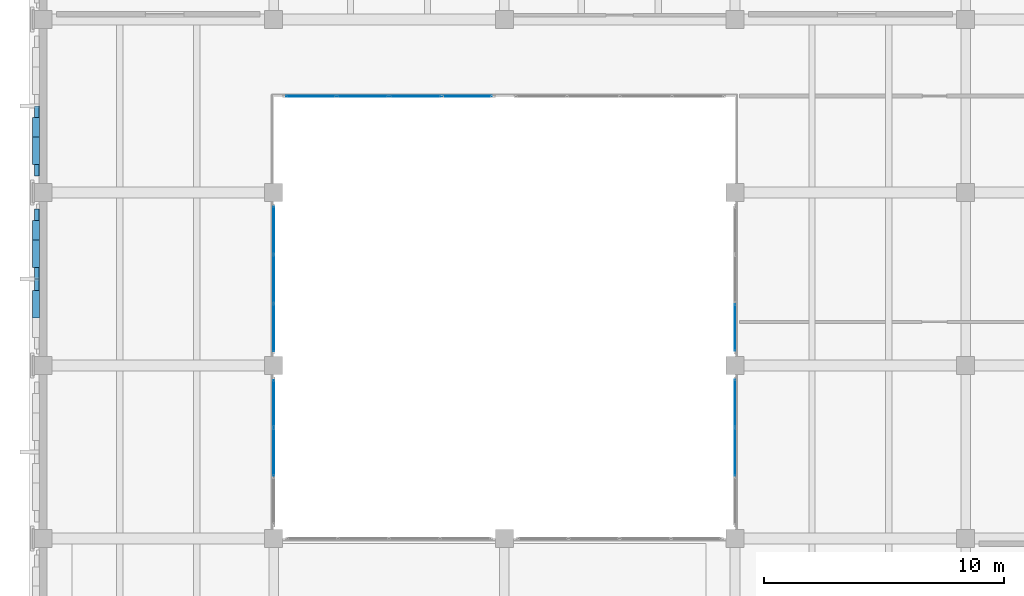
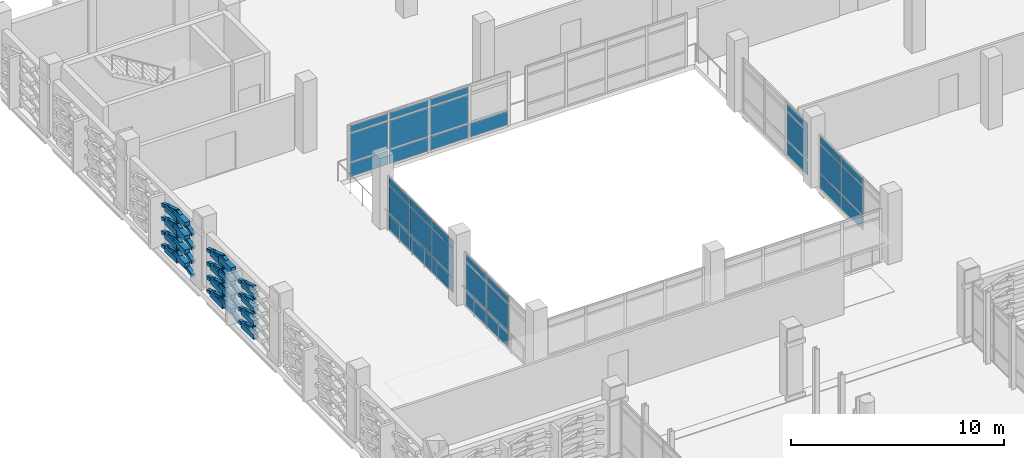
# One storey, part 131 of 180: 74 plates, 5 elements without a shape of their own.
"""IFC4 building model written with IfcOpenShell, lengths in metres."""

from ifc_helpers import new_model, si_unit, direction, frame, origin, origin_2d, place, context, subcontext, project, spatial, rectangle, hollow_rectangle, extrude, material, layer, layer_set, material_profile, profile_set, type_object, element, aggregate, save


model = new_model("IFC4")

# Units and contexts
model_context = context("Model", 3, precision=1e-05, world=origin(), true_north=direction((0.0, 1.0)))
body_context = subcontext(model_context, "Body", "Model", "MODEL_VIEW")
ifc_project = project(units=[si_unit("LENGTHUNIT", "METRE"), si_unit("AREAUNIT", "SQUARE_METRE"), si_unit("VOLUMEUNIT", "CUBIC_METRE"), si_unit("PLANEANGLEUNIT", "RADIAN"), si_unit("MASSUNIT", "GRAM", prefix="KILO")], contexts=[model_context])

# Site, building, storey
site_placement = place(None, origin())
site = spatial("IfcSite", under=ifc_project, at=site_placement, CompositionType="ELEMENT")
building_placement = place(site_placement, origin())
building = spatial("IfcBuilding", under=site, at=building_placement, Name="Asteropetra Specialist Clinic", CompositionType="ELEMENT")
storey_placement = place(building_placement, frame((0.0, 0.0, 4.419921875)))
storey = spatial("IfcBuildingStorey", under=building, at=storey_placement, Name="L01", CompositionType="ELEMENT", Elevation=4.419921875)

# Plates
ifc_material_1 = material(Name="Chevron emerald aluminium 6063-T6", Category="aluminium")
ifc_material_profile = material_profile(ifc_material_1, hollow_rectangle(XDim=0.199951171875, YDim=0.199951171875, WallThickness=0.010009765625, InnerFilletRadius=0.008056640625, OuterFilletRadius=0.01611328125, at=origin_2d()), Name="SHS 200x200x10.0")
ifc_profile_set = profile_set([ifc_material_profile], Name="Chevron emerald aluminium 6063-T6")
plate_type_1 = type_object("IfcPlateType", Name="CHV-RIB-200", PredefinedType="SHEET", material=ifc_profile_set)
plate_1_placement = place(storey_placement, frame((-0.251953125, 90.485107421875, 0.050048828125), z_axis=(0.0, -0.952507040007, 0.304516565619), x_axis=(1.0, 0.0, 0.0)))
element("IfcPlate", 1, at=plate_1_placement, inside=storey, type_object=plate_type_1, Name="Chevron Facade Screen Fin CVR-0715", PredefinedType="SHEET", context=body_context, shape_type="SweptSolid", body=[
    extrude(hollow_rectangle(XDim=0.199951171875, YDim=0.199951171875, WallThickness=0.010009765625, InnerFilletRadius=0.008056640625, OuterFilletRadius=0.01611328125, at=origin_2d()), origin(), (0.0, 0.0, 1.0), 1.504150390625),
])
plate_2_placement = place(storey_placement, frame((-0.251953125, 89.052490234375, 0.508056640625), z_axis=(0.0, -0.952491984317, -0.304563654777), x_axis=(1.0, 0.0, 0.0)))
element("IfcPlate", 2, at=plate_2_placement, inside=storey, type_object=plate_type_1, Name="Chevron Facade Screen Fin CVR-0716", PredefinedType="SHEET", context=body_context, shape_type="SweptSolid", body=[
    extrude(hollow_rectangle(XDim=0.199951171875, YDim=0.199951171875, WallThickness=0.010009765625, InnerFilletRadius=0.008056640625, OuterFilletRadius=0.01611328125, at=origin_2d()), origin(), (0.0, 0.0, 1.0), 1.50390625),
])
plate_3_placement = place(storey_placement, frame((-0.251953125, 90.485107421875, 0.820068359375), z_axis=(0.0, -0.952507040007, 0.304516565619), x_axis=(1.0, 0.0, 0.0)))
element("IfcPlate", 3, at=plate_3_placement, inside=storey, type_object=plate_type_1, Name="Chevron Facade Screen Fin CVR-0717", PredefinedType="SHEET", context=body_context, shape_type="SweptSolid", body=[
    extrude(hollow_rectangle(XDim=0.199951171875, YDim=0.199951171875, WallThickness=0.010009765625, InnerFilletRadius=0.008056640625, OuterFilletRadius=0.01611328125, at=origin_2d()), origin(), (0.0, 0.0, 1.0), 1.504150390625),
])
plate_4_placement = place(storey_placement, frame((-0.251953125, 89.052490234375, 1.278076171875), z_axis=(0.0, -0.952491984317, -0.304563654777), x_axis=(1.0, 0.0, 0.0)))
element("IfcPlate", 4, at=plate_4_placement, inside=storey, type_object=plate_type_1, Name="Chevron Facade Screen Fin CVR-0718", PredefinedType="SHEET", context=body_context, shape_type="SweptSolid", body=[
    extrude(hollow_rectangle(XDim=0.199951171875, YDim=0.199951171875, WallThickness=0.010009765625, InnerFilletRadius=0.008056640625, OuterFilletRadius=0.01611328125, at=origin_2d()), origin(), (0.0, 0.0, 1.0), 1.50390625),
])
plate_5_placement = place(storey_placement, frame((-0.251953125, 90.485107421875, 1.6201171875), z_axis=(0.0, -0.952507040007, 0.304516565619), x_axis=(1.0, 0.0, 0.0)))
element("IfcPlate", 5, at=plate_5_placement, inside=storey, type_object=plate_type_1, Name="Chevron Facade Screen Fin CVR-0719", PredefinedType="SHEET", context=body_context, shape_type="SweptSolid", body=[
    extrude(hollow_rectangle(XDim=0.199951171875, YDim=0.199951171875, WallThickness=0.010009765625, InnerFilletRadius=0.008056640625, OuterFilletRadius=0.01611328125, at=origin_2d()), origin(), (0.0, 0.0, 1.0), 1.504150390625),
])
plate_6_placement = place(storey_placement, frame((-0.251953125, 89.052490234375, 2.078125), z_axis=(0.0, -0.952491984317, -0.304563654777), x_axis=(1.0, 0.0, 0.0)))
element("IfcPlate", 6, at=plate_6_placement, inside=storey, type_object=plate_type_1, Name="Chevron Facade Screen Fin CVR-0720", PredefinedType="SHEET", context=body_context, shape_type="SweptSolid", body=[
    extrude(hollow_rectangle(XDim=0.199951171875, YDim=0.199951171875, WallThickness=0.010009765625, InnerFilletRadius=0.008056640625, OuterFilletRadius=0.01611328125, at=origin_2d()), origin(), (0.0, 0.0, 1.0), 1.50390625),
])
plate_7_placement = place(storey_placement, frame((-0.251953125, 90.485107421875, 2.400146484375), z_axis=(0.0, -0.952507040007, 0.304516565619), x_axis=(1.0, 0.0, 0.0)))
element("IfcPlate", 7, at=plate_7_placement, inside=storey, type_object=plate_type_1, Name="Chevron Facade Screen Fin CVR-0721", PredefinedType="SHEET", context=body_context, shape_type="SweptSolid", body=[
    extrude(hollow_rectangle(XDim=0.199951171875, YDim=0.199951171875, WallThickness=0.010009765625, InnerFilletRadius=0.008056640625, OuterFilletRadius=0.01611328125, at=origin_2d()), origin(), (0.0, 0.0, 1.0), 1.504150390625),
])
plate_8_placement = place(storey_placement, frame((-0.251953125, 89.052490234375, 2.858154296875), z_axis=(0.0, -0.952491984317, -0.304563654777), x_axis=(1.0, 0.0, 0.0)))
element("IfcPlate", 8, at=plate_8_placement, inside=storey, type_object=plate_type_1, Name="Chevron Facade Screen Fin CVR-0722", PredefinedType="SHEET", context=body_context, shape_type="SweptSolid", body=[
    extrude(hollow_rectangle(XDim=0.199951171875, YDim=0.199951171875, WallThickness=0.010009765625, InnerFilletRadius=0.008056640625, OuterFilletRadius=0.01611328125, at=origin_2d()), origin(), (0.0, 0.0, 1.0), 1.50390625),
])
for number, where, z_axis, x_axis, name in (
    (9, (-0.251953125, 87.580078125, 0.050048828125), (0.0, -0.952507040007, 0.304516565619), (1.0, 0.0, 0.0), "Chevron Facade Screen Fin CVR-0723"),
    (10, (-0.251953125, 87.580078125, 0.820068359375), (0.0, -0.952507040007, 0.304516565619), (1.0, 0.0, 0.0), "Chevron Facade Screen Fin CVR-0725"),
    (11, (-0.251953125, 87.580078125, 1.6201171875), (0.0, -0.952507040007, 0.304516565619), (1.0, 0.0, 0.0), "Chevron Facade Screen Fin CVR-0727"),
    (12, (-0.251953125, 87.580078125, 2.400146484375), (0.0, -0.952507040007, 0.304516565619), (1.0, 0.0, 0.0), "Chevron Facade Screen Fin CVR-0729"),
    (13, (-0.251953125, 94.780029296875, 0.050048828125), (0.0, -0.952507040007, 0.304516565619), (1.0, 0.0, 0.0), "Chevron Facade Screen Fin CVR-0755"),
):
    element("IfcPlate", number, at=place(storey_placement, frame(where, z_axis=z_axis, x_axis=x_axis)), inside=storey, type_object=plate_type_1, Name=name, PredefinedType="SHEET", context=body_context, shape_type="SweptSolid", body=[
        extrude(hollow_rectangle(XDim=0.199951171875, YDim=0.199951171875, WallThickness=0.010009765625, InnerFilletRadius=0.008056640625, OuterFilletRadius=0.01611328125, at=origin_2d()), origin(), (0.0, 0.0, 1.0), 1.504150390625),
    ])
plate_9_placement = place(storey_placement, frame((-0.251953125, 93.347412109375, 0.508056640625), z_axis=(0.0, -0.952491984317, -0.304563654777), x_axis=(1.0, 0.0, 0.0)))
element("IfcPlate", 14, at=plate_9_placement, inside=storey, type_object=plate_type_1, Name="Chevron Facade Screen Fin CVR-0756", PredefinedType="SHEET", context=body_context, shape_type="SweptSolid", body=[
    extrude(hollow_rectangle(XDim=0.199951171875, YDim=0.199951171875, WallThickness=0.010009765625, InnerFilletRadius=0.008056640625, OuterFilletRadius=0.01611328125, at=origin_2d()), origin(), (0.0, 0.0, 1.0), 1.50390625),
])
plate_10_placement = place(storey_placement, frame((-0.251953125, 94.780029296875, 0.820068359375), z_axis=(0.0, -0.952507040007, 0.304516565619), x_axis=(1.0, 0.0, 0.0)))
element("IfcPlate", 15, at=plate_10_placement, inside=storey, type_object=plate_type_1, Name="Chevron Facade Screen Fin CVR-0757", PredefinedType="SHEET", context=body_context, shape_type="SweptSolid", body=[
    extrude(hollow_rectangle(XDim=0.199951171875, YDim=0.199951171875, WallThickness=0.010009765625, InnerFilletRadius=0.008056640625, OuterFilletRadius=0.01611328125, at=origin_2d()), origin(), (0.0, 0.0, 1.0), 1.504150390625),
])
plate_11_placement = place(storey_placement, frame((-0.251953125, 93.347412109375, 1.278076171875), z_axis=(0.0, -0.952491984317, -0.304563654777), x_axis=(1.0, 0.0, 0.0)))
element("IfcPlate", 16, at=plate_11_placement, inside=storey, type_object=plate_type_1, Name="Chevron Facade Screen Fin CVR-0758", PredefinedType="SHEET", context=body_context, shape_type="SweptSolid", body=[
    extrude(hollow_rectangle(XDim=0.199951171875, YDim=0.199951171875, WallThickness=0.010009765625, InnerFilletRadius=0.008056640625, OuterFilletRadius=0.01611328125, at=origin_2d()), origin(), (0.0, 0.0, 1.0), 1.50390625),
])
plate_12_placement = place(storey_placement, frame((-0.251953125, 94.780029296875, 1.6201171875), z_axis=(0.0, -0.952507040007, 0.304516565619), x_axis=(1.0, 0.0, 0.0)))
element("IfcPlate", 17, at=plate_12_placement, inside=storey, type_object=plate_type_1, Name="Chevron Facade Screen Fin CVR-0759", PredefinedType="SHEET", context=body_context, shape_type="SweptSolid", body=[
    extrude(hollow_rectangle(XDim=0.199951171875, YDim=0.199951171875, WallThickness=0.010009765625, InnerFilletRadius=0.008056640625, OuterFilletRadius=0.01611328125, at=origin_2d()), origin(), (0.0, 0.0, 1.0), 1.504150390625),
])
plate_13_placement = place(storey_placement, frame((-0.251953125, 93.347412109375, 2.078125), z_axis=(0.0, -0.952491984317, -0.304563654777), x_axis=(1.0, 0.0, 0.0)))
element("IfcPlate", 18, at=plate_13_placement, inside=storey, type_object=plate_type_1, Name="Chevron Facade Screen Fin CVR-0760", PredefinedType="SHEET", context=body_context, shape_type="SweptSolid", body=[
    extrude(hollow_rectangle(XDim=0.199951171875, YDim=0.199951171875, WallThickness=0.010009765625, InnerFilletRadius=0.008056640625, OuterFilletRadius=0.01611328125, at=origin_2d()), origin(), (0.0, 0.0, 1.0), 1.50390625),
])
plate_14_placement = place(storey_placement, frame((-0.251953125, 94.780029296875, 2.400146484375), z_axis=(0.0, -0.952507040007, 0.304516565619), x_axis=(1.0, 0.0, 0.0)))
element("IfcPlate", 19, at=plate_14_placement, inside=storey, type_object=plate_type_1, Name="Chevron Facade Screen Fin CVR-0761", PredefinedType="SHEET", context=body_context, shape_type="SweptSolid", body=[
    extrude(hollow_rectangle(XDim=0.199951171875, YDim=0.199951171875, WallThickness=0.010009765625, InnerFilletRadius=0.008056640625, OuterFilletRadius=0.01611328125, at=origin_2d()), origin(), (0.0, 0.0, 1.0), 1.504150390625),
])
plate_15_placement = place(storey_placement, frame((-0.251953125, 93.347412109375, 2.858154296875), z_axis=(0.0, -0.952491984317, -0.304563654777), x_axis=(1.0, 0.0, 0.0)))
element("IfcPlate", 20, at=plate_15_placement, inside=storey, type_object=plate_type_1, Name="Chevron Facade Screen Fin CVR-0762", PredefinedType="SHEET", context=body_context, shape_type="SweptSolid", body=[
    extrude(hollow_rectangle(XDim=0.199951171875, YDim=0.199951171875, WallThickness=0.010009765625, InnerFilletRadius=0.008056640625, OuterFilletRadius=0.01611328125, at=origin_2d()), origin(), (0.0, 0.0, 1.0), 1.50390625),
])

# Curtain wall, plates
ifc_material_2 = material(Name="Aluminium and low-E glass", Category="aluminium")
ifc_layer_1 = layer(ifc_material_2, 0.135009765625)
ifc_layer_set_1 = layer_set([ifc_layer_1], Name="Aluminium and low-E glass")
curtain_wall_type_1 = type_object("IfcCurtainWallType", Name="CW-SYS-06", PredefinedType="USERDEFINED", material=ifc_layer_set_1)
curtain_wall_1_placement = place(storey_placement, origin())
curtain_wall_1 = element("IfcCurtainWall", 21, at=curtain_wall_1_placement, inside=storey, type_object=curtain_wall_type_1, Name="Curtain Wall CW-024", ObjectType="UNITISED CURTAIN WALL", PredefinedType="USERDEFINED")
ifc_material_3 = material(Name="Low-E double glazing", Category="glass")
ifc_layer_2 = layer(ifc_material_3, 0.028076171875)
ifc_layer_set_2 = layer_set([ifc_layer_2], Name="Low-E double glazing")
plate_type_2 = type_object("IfcPlateType", Name="CWP-GLZ-28", PredefinedType="CURTAIN_PANEL", material=ifc_layer_set_2)
plate_16_placement = place(storey_placement, frame((28.800048828125, 85.575439453125, 0.074951171875), z_axis=(0.0, 0.0, 1.0), x_axis=(0.0, 1.0, 0.0)))
plate_16 = element("IfcPlate", 22, at=plate_16_placement, type_object=plate_type_2, Name="CW-024 panel 1.1", PredefinedType="CURTAIN_PANEL", context=body_context, shape_type="SweptSolid", body=[
    extrude(rectangle(XDim=1.930908203125, YDim=0.028076171875, at=origin_2d()), origin(), (0.0, 0.0, 1.0), 0.78759765625),
])
plate_17_placement = place(storey_placement, frame((28.800048828125, 85.575439453125, 0.9375), z_axis=(0.0, 0.0, 1.0), x_axis=(0.0, 1.0, 0.0)))
plate_17 = element("IfcPlate", 23, at=plate_17_placement, type_object=plate_type_2, Name="CW-024 panel 1.2", PredefinedType="CURTAIN_PANEL", context=body_context, shape_type="SweptSolid", body=[
    extrude(rectangle(XDim=1.930908203125, YDim=0.028076171875, at=origin_2d()), origin(), (0.0, 0.0, 1.0), 1.60498046875),
])
plate_18_placement = place(storey_placement, frame((28.800048828125, 85.575439453125, 2.61767578125), z_axis=(0.0, 0.0, 1.0), x_axis=(0.0, 1.0, 0.0)))
plate_18 = element("IfcPlate", 24, at=plate_18_placement, type_object=plate_type_2, Name="CW-024 panel 1.3", PredefinedType="CURTAIN_PANEL", context=body_context, shape_type="SweptSolid", body=[
    extrude(rectangle(XDim=1.930908203125, YDim=0.028076171875, at=origin_2d()), origin(), (0.0, 0.0, 1.0), 0.387451171875),
])
aggregate(curtain_wall_1, [plate_16, plate_17, plate_18])

ifc_material_4 = material(Name="Aluminium and low-E glass", Category="aluminium")
ifc_layer_3 = layer(ifc_material_4, 0.179931640625)
ifc_layer_set_3 = layer_set([ifc_layer_3], Name="Aluminium and low-E glass")
curtain_wall_type_2 = type_object("IfcCurtainWallType", Name="CW-SYS-04", PredefinedType="USERDEFINED", material=ifc_layer_set_3)
curtain_wall_2_placement = place(storey_placement, origin())
curtain_wall_2 = element("IfcCurtainWall", 25, at=curtain_wall_2_placement, inside=storey, type_object=curtain_wall_type_2, Name="Curtain Wall CW-021", ObjectType="UNITISED CURTAIN WALL", PredefinedType="USERDEFINED")
ifc_material_5 = material(Name="Low-E acoustic double glazing", Category="glass")
ifc_layer_4 = layer(ifc_material_5, 0.031982421875)
ifc_layer_set_4 = layer_set([ifc_layer_4], Name="Low-E acoustic double glazing")
plate_type_3 = type_object("IfcPlateType", Name="CWP-GLZ-32", PredefinedType="CURTAIN_PANEL", material=ifc_layer_set_4)
plate_19_placement = place(storey_placement, frame((9.60009765625, 82.424560546875, 0.074951171875), z_axis=(0.0, 0.0, 1.0), x_axis=(0.0, -1.0, 0.0)))
plate_19 = element("IfcPlate", 26, at=plate_19_placement, type_object=plate_type_3, Name="CW-021 panel 1.1", PredefinedType="CURTAIN_PANEL", context=body_context, shape_type="SweptSolid", body=[
    extrude(rectangle(XDim=1.930908203125, YDim=0.031982421875, at=origin_2d()), origin(), (0.0, 0.0, 1.0), 0.78759765625),
])
plate_20_placement = place(storey_placement, frame((9.60009765625, 82.424560546875, 0.9375), z_axis=(0.0, 0.0, 1.0), x_axis=(0.0, -1.0, 0.0)))
plate_20 = element("IfcPlate", 27, at=plate_20_placement, type_object=plate_type_3, Name="CW-021 panel 1.2", PredefinedType="CURTAIN_PANEL", context=body_context, shape_type="SweptSolid", body=[
    extrude(rectangle(XDim=1.930908203125, YDim=0.031982421875, at=origin_2d()), origin(), (0.0, 0.0, 1.0), 1.60498046875),
])
plate_21_placement = place(storey_placement, frame((9.60009765625, 82.424560546875, 2.61767578125), z_axis=(0.0, 0.0, 1.0), x_axis=(0.0, -1.0, 0.0)))
plate_21 = element("IfcPlate", 28, at=plate_21_placement, type_object=plate_type_3, Name="CW-021 panel 1.3", PredefinedType="CURTAIN_PANEL", context=body_context, shape_type="SweptSolid", body=[
    extrude(rectangle(XDim=1.930908203125, YDim=0.031982421875, at=origin_2d()), origin(), (0.0, 0.0, 1.0), 0.387451171875),
])
plate_22_placement = place(storey_placement, frame((9.60009765625, 80.39990234375, 0.074951171875), z_axis=(0.0, 0.0, 1.0), x_axis=(0.0, -1.0, 0.0)))
plate_22 = element("IfcPlate", 29, at=plate_22_placement, type_object=plate_type_3, Name="CW-021 panel 2.1", PredefinedType="CURTAIN_PANEL", context=body_context, shape_type="SweptSolid", body=[
    extrude(rectangle(XDim=1.96826171875, YDim=0.031982421875, at=origin_2d()), origin(), (0.0, 0.0, 1.0), 0.78759765625),
])
plate_23_placement = place(storey_placement, frame((9.60009765625, 80.39990234375, 0.9375), z_axis=(0.0, 0.0, 1.0), x_axis=(0.0, -1.0, 0.0)))
plate_23 = element("IfcPlate", 30, at=plate_23_placement, type_object=plate_type_3, Name="CW-021 panel 2.2", PredefinedType="CURTAIN_PANEL", context=body_context, shape_type="SweptSolid", body=[
    extrude(rectangle(XDim=1.96826171875, YDim=0.031982421875, at=origin_2d()), origin(), (0.0, 0.0, 1.0), 1.60498046875),
])
plate_24_placement = place(storey_placement, frame((9.60009765625, 80.39990234375, 2.61767578125), z_axis=(0.0, 0.0, 1.0), x_axis=(0.0, -1.0, 0.0)))
plate_24 = element("IfcPlate", 31, at=plate_24_placement, type_object=plate_type_3, Name="CW-021 panel 2.3", PredefinedType="CURTAIN_PANEL", context=body_context, shape_type="SweptSolid", body=[
    extrude(rectangle(XDim=1.96826171875, YDim=0.031982421875, at=origin_2d()), origin(), (0.0, 0.0, 1.0), 0.387451171875),
])
aggregate(curtain_wall_2, [plate_19, plate_20, plate_21, plate_22, plate_23, plate_24])

ifc_material_6 = material(Name="Aluminium and low-E glass", Category="aluminium")
ifc_layer_5 = layer(ifc_material_6, 0.135009765625)
ifc_layer_set_5 = layer_set([ifc_layer_5], Name="Aluminium and low-E glass")
curtain_wall_type_3 = type_object("IfcCurtainWallType", Name="CW-SYS-03", PredefinedType="USERDEFINED", material=ifc_layer_set_5)
curtain_wall_3_placement = place(storey_placement, origin())
curtain_wall_3 = element("IfcCurtainWall", 32, at=curtain_wall_3_placement, inside=storey, type_object=curtain_wall_type_3, Name="Curtain Wall CW-018", ObjectType="UNITISED CURTAIN WALL", PredefinedType="USERDEFINED")
ifc_material_7 = material(Name="Solar-control triple glazing", Category="glass")
ifc_layer_6 = layer(ifc_material_7, 0.035888671875)
ifc_layer_set_6 = layer_set([ifc_layer_6], Name="Solar-control triple glazing")
plate_type_4 = type_object("IfcPlateType", Name="CWP-GLZ-36", PredefinedType="CURTAIN_PANEL", material=ifc_layer_set_6)
plate_25_placement = place(storey_placement, frame((17.6513671875, 95.199951171875, 0.074951171875), z_axis=(0.0, 0.0, 1.0), x_axis=(-1.0, 0.0, 0.0)))
plate_25 = element("IfcPlate", 33, at=plate_25_placement, type_object=plate_type_4, Name="CW-018 panel 1.1", PredefinedType="CURTAIN_PANEL", context=body_context, shape_type="SweptSolid", body=[
    extrude(rectangle(XDim=2.0673828125, YDim=0.035888671875, at=origin_2d()), origin(), (0.0, 0.0, 1.0), 0.78759765625),
])
plate_26_placement = place(storey_placement, frame((15.489990234375, 95.199951171875, 0.074951171875), z_axis=(0.0, 0.0, 1.0), x_axis=(-1.0, 0.0, 0.0)))
plate_26 = element("IfcPlate", 34, at=plate_26_placement, type_object=plate_type_4, Name="CW-018 panel 2.1", PredefinedType="CURTAIN_PANEL", context=body_context, shape_type="SweptSolid", body=[
    extrude(rectangle(XDim=2.10498046875, YDim=0.035888671875, at=origin_2d()), origin(), (0.0, 0.0, 1.0), 0.78759765625),
])
plate_27_placement = place(storey_placement, frame((15.489990234375, 95.199951171875, 0.9375), z_axis=(0.0, 0.0, 1.0), x_axis=(-1.0, 0.0, 0.0)))
plate_27 = element("IfcPlate", 35, at=plate_27_placement, type_object=plate_type_4, Name="CW-018 panel 2.2", PredefinedType="CURTAIN_PANEL", context=body_context, shape_type="SweptSolid", body=[
    extrude(rectangle(XDim=2.10498046875, YDim=0.035888671875, at=origin_2d()), origin(), (0.0, 0.0, 1.0), 1.60498046875),
])
plate_28_placement = place(storey_placement, frame((15.489990234375, 95.199951171875, 2.61767578125), z_axis=(0.0, 0.0, 1.0), x_axis=(-1.0, 0.0, 0.0)))
plate_28 = element("IfcPlate", 36, at=plate_28_placement, type_object=plate_type_4, Name="CW-018 panel 2.3", PredefinedType="CURTAIN_PANEL", context=body_context, shape_type="SweptSolid", body=[
    extrude(rectangle(XDim=2.10498046875, YDim=0.035888671875, at=origin_2d()), origin(), (0.0, 0.0, 1.0), 0.387451171875),
])
plate_29_placement = place(storey_placement, frame((13.31005859375, 95.199951171875, 0.074951171875), z_axis=(0.0, 0.0, 1.0), x_axis=(-1.0, 0.0, 0.0)))
plate_29 = element("IfcPlate", 37, at=plate_29_placement, type_object=plate_type_4, Name="CW-018 panel 3.1", PredefinedType="CURTAIN_PANEL", context=body_context, shape_type="SweptSolid", body=[
    extrude(rectangle(XDim=2.10498046875, YDim=0.035888671875, at=origin_2d()), origin(), (0.0, 0.0, 1.0), 0.78759765625),
])
plate_30_placement = place(storey_placement, frame((13.31005859375, 95.199951171875, 0.9375), z_axis=(0.0, 0.0, 1.0), x_axis=(-1.0, 0.0, 0.0)))
plate_30 = element("IfcPlate", 38, at=plate_30_placement, type_object=plate_type_4, Name="CW-018 panel 3.2", PredefinedType="CURTAIN_PANEL", context=body_context, shape_type="SweptSolid", body=[
    extrude(rectangle(XDim=2.10498046875, YDim=0.035888671875, at=origin_2d()), origin(), (0.0, 0.0, 1.0), 1.60498046875),
])
plate_31_placement = place(storey_placement, frame((13.31005859375, 95.199951171875, 2.61767578125), z_axis=(0.0, 0.0, 1.0), x_axis=(-1.0, 0.0, 0.0)))
plate_31 = element("IfcPlate", 39, at=plate_31_placement, type_object=plate_type_4, Name="CW-018 panel 3.3", PredefinedType="CURTAIN_PANEL", context=body_context, shape_type="SweptSolid", body=[
    extrude(rectangle(XDim=2.10498046875, YDim=0.035888671875, at=origin_2d()), origin(), (0.0, 0.0, 1.0), 0.387451171875),
])
plate_32_placement = place(storey_placement, frame((11.148681640625, 95.199951171875, 0.074951171875), z_axis=(0.0, 0.0, 1.0), x_axis=(-1.0, 0.0, 0.0)))
plate_32 = element("IfcPlate", 40, at=plate_32_placement, type_object=plate_type_4, Name="CW-018 panel 4.1", PredefinedType="CURTAIN_PANEL", context=body_context, shape_type="SweptSolid", body=[
    extrude(rectangle(XDim=2.0673828125, YDim=0.035888671875, at=origin_2d()), origin(), (0.0, 0.0, 1.0), 0.78759765625),
])
plate_33_placement = place(storey_placement, frame((11.148681640625, 95.199951171875, 0.9375), z_axis=(0.0, 0.0, 1.0), x_axis=(-1.0, 0.0, 0.0)))
plate_33 = element("IfcPlate", 41, at=plate_33_placement, type_object=plate_type_4, Name="CW-018 panel 4.2", PredefinedType="CURTAIN_PANEL", context=body_context, shape_type="SweptSolid", body=[
    extrude(rectangle(XDim=2.0673828125, YDim=0.035888671875, at=origin_2d()), origin(), (0.0, 0.0, 1.0), 1.60498046875),
])
plate_34_placement = place(storey_placement, frame((11.148681640625, 95.199951171875, 2.61767578125), z_axis=(0.0, 0.0, 1.0), x_axis=(-1.0, 0.0, 0.0)))
plate_34 = element("IfcPlate", 42, at=plate_34_placement, type_object=plate_type_4, Name="CW-018 panel 4.3", PredefinedType="CURTAIN_PANEL", context=body_context, shape_type="SweptSolid", body=[
    extrude(rectangle(XDim=2.0673828125, YDim=0.035888671875, at=origin_2d()), origin(), (0.0, 0.0, 1.0), 0.387451171875),
])
aggregate(curtain_wall_3, [plate_25, plate_26, plate_27, plate_28, plate_29, plate_30, plate_31, plate_32, plate_33, plate_34])

ifc_material_8 = material(Name="Aluminium and low-E glass", Category="aluminium")
ifc_layer_7 = layer(ifc_material_8, 0.14990234375)
ifc_layer_set_7 = layer_set([ifc_layer_7], Name="Aluminium and low-E glass")
curtain_wall_type_4 = type_object("IfcCurtainWallType", Name="CW-SYS-05", PredefinedType="USERDEFINED", material=ifc_layer_set_7)
curtain_wall_4_placement = place(storey_placement, origin())
curtain_wall_4 = element("IfcCurtainWall", 43, at=curtain_wall_4_placement, inside=storey, type_object=curtain_wall_type_4, Name="Curtain Wall CW-022", ObjectType="UNITISED CURTAIN WALL", PredefinedType="USERDEFINED")
plate_35_placement = place(storey_placement, frame((28.800048828125, 80.39990234375, 0.06494140625), z_axis=(0.0, 0.0, 1.0), x_axis=(0.0, 1.0, 0.0)))
plate_35 = element("IfcPlate", 44, at=plate_35_placement, type_object=plate_type_4, Name="CW-022 panel 2.1", PredefinedType="CURTAIN_PANEL", context=body_context, shape_type="SweptSolid", body=[
    extrude(rectangle(XDim=1.978271484375, YDim=0.035888671875, at=origin_2d()), origin(), (0.0, 0.0, 1.0), 0.802490234375),
])
plate_36_placement = place(storey_placement, frame((28.800048828125, 80.39990234375, 0.9326171875), z_axis=(0.0, 0.0, 1.0), x_axis=(0.0, 1.0, 0.0)))
plate_36 = element("IfcPlate", 45, at=plate_36_placement, type_object=plate_type_4, Name="CW-022 panel 2.2", PredefinedType="CURTAIN_PANEL", context=body_context, shape_type="SweptSolid", body=[
    extrude(rectangle(XDim=1.978271484375, YDim=0.035888671875, at=origin_2d()), origin(), (0.0, 0.0, 1.0), 1.614990234375),
])
plate_37_placement = place(storey_placement, frame((28.800048828125, 80.39990234375, 2.6123046875), z_axis=(0.0, 0.0, 1.0), x_axis=(0.0, 1.0, 0.0)))
plate_37 = element("IfcPlate", 46, at=plate_37_placement, type_object=plate_type_4, Name="CW-022 panel 2.3", PredefinedType="CURTAIN_PANEL", context=body_context, shape_type="SweptSolid", body=[
    extrude(rectangle(XDim=1.978271484375, YDim=0.035888671875, at=origin_2d()), origin(), (0.0, 0.0, 1.0), 0.402587890625),
])
plate_38_placement = place(storey_placement, frame((28.800048828125, 82.427001953125, 0.06494140625), z_axis=(0.0, 0.0, 1.0), x_axis=(0.0, 1.0, 0.0)))
plate_38 = element("IfcPlate", 47, at=plate_38_placement, type_object=plate_type_4, Name="CW-022 panel 3.1", PredefinedType="CURTAIN_PANEL", context=body_context, shape_type="SweptSolid", body=[
    extrude(rectangle(XDim=1.94580078125, YDim=0.035888671875, at=origin_2d()), origin(), (0.0, 0.0, 1.0), 0.802490234375),
])
plate_39_placement = place(storey_placement, frame((28.800048828125, 82.427001953125, 0.9326171875), z_axis=(0.0, 0.0, 1.0), x_axis=(0.0, 1.0, 0.0)))
plate_39 = element("IfcPlate", 48, at=plate_39_placement, type_object=plate_type_4, Name="CW-022 panel 3.2", PredefinedType="CURTAIN_PANEL", context=body_context, shape_type="SweptSolid", body=[
    extrude(rectangle(XDim=1.94580078125, YDim=0.035888671875, at=origin_2d()), origin(), (0.0, 0.0, 1.0), 1.614990234375),
])
plate_40_placement = place(storey_placement, frame((28.800048828125, 82.427001953125, 2.6123046875), z_axis=(0.0, 0.0, 1.0), x_axis=(0.0, 1.0, 0.0)))
plate_40 = element("IfcPlate", 49, at=plate_40_placement, type_object=plate_type_4, Name="CW-022 panel 3.3", PredefinedType="CURTAIN_PANEL", context=body_context, shape_type="SweptSolid", body=[
    extrude(rectangle(XDim=1.94580078125, YDim=0.035888671875, at=origin_2d()), origin(), (0.0, 0.0, 1.0), 0.402587890625),
])
aggregate(curtain_wall_4, [plate_35, plate_36, plate_37, plate_38, plate_39, plate_40])

curtain_wall_5_placement = place(storey_placement, origin())
curtain_wall_5 = element("IfcCurtainWall", 50, at=curtain_wall_5_placement, inside=storey, type_object=curtain_wall_type_4, Name="Curtain Wall CW-023", ObjectType="UNITISED CURTAIN WALL", PredefinedType="USERDEFINED")
ifc_material_9 = material(Name="Laminated skylight glazing", Category="glass")
ifc_layer_8 = layer(ifc_material_9, 0.0400390625)
ifc_layer_set_8 = layer_set([ifc_layer_8], Name="Laminated skylight glazing")
plate_type_5 = type_object("IfcPlateType", Name="CWP-GLZ-40", PredefinedType="CURTAIN_PANEL", material=ifc_layer_set_8)
plate_41_placement = place(storey_placement, frame((9.60009765625, 89.62841796875, 0.06005859375), z_axis=(0.0, 0.0, 1.0), x_axis=(0.0, -1.0, 0.0)))
plate_41 = element("IfcPlate", 51, at=plate_41_placement, type_object=plate_type_5, Name="CW-023 panel 1.1", PredefinedType="CURTAIN_PANEL", context=body_context, shape_type="SweptSolid", body=[
    extrude(rectangle(XDim=1.953369140625, YDim=0.0400390625, at=origin_2d()), origin(), (0.0, 0.0, 1.0), 0.81005859375),
])
plate_42_placement = place(storey_placement, frame((9.60009765625, 89.62841796875, 0.929931640625), z_axis=(0.0, 0.0, 1.0), x_axis=(0.0, -1.0, 0.0)))
plate_42 = element("IfcPlate", 52, at=plate_42_placement, type_object=plate_type_5, Name="CW-023 panel 1.2", PredefinedType="CURTAIN_PANEL", context=body_context, shape_type="SweptSolid", body=[
    extrude(rectangle(XDim=1.953369140625, YDim=0.0400390625, at=origin_2d()), origin(), (0.0, 0.0, 1.0), 1.6201171875),
])
plate_43_placement = place(storey_placement, frame((9.60009765625, 89.62841796875, 2.6103515625), z_axis=(0.0, 0.0, 1.0), x_axis=(0.0, -1.0, 0.0)))
plate_43 = element("IfcPlate", 53, at=plate_43_placement, type_object=plate_type_5, Name="CW-023 panel 1.3", PredefinedType="CURTAIN_PANEL", context=body_context, shape_type="SweptSolid", body=[
    extrude(rectangle(XDim=1.953369140625, YDim=0.0400390625, at=origin_2d()), origin(), (0.0, 0.0, 1.0), 0.409912109375),
])
plate_44_placement = place(storey_placement, frame((9.60009765625, 87.60009765625, 0.06005859375), z_axis=(0.0, 0.0, 1.0), x_axis=(0.0, -1.0, 0.0)))
plate_44 = element("IfcPlate", 54, at=plate_44_placement, type_object=plate_type_5, Name="CW-023 panel 2.1", PredefinedType="CURTAIN_PANEL", context=body_context, shape_type="SweptSolid", body=[
    extrude(rectangle(XDim=1.9833984375, YDim=0.0400390625, at=origin_2d()), origin(), (0.0, 0.0, 1.0), 0.81005859375),
])
plate_45_placement = place(storey_placement, frame((9.60009765625, 87.60009765625, 0.929931640625), z_axis=(0.0, 0.0, 1.0), x_axis=(0.0, -1.0, 0.0)))
plate_45 = element("IfcPlate", 55, at=plate_45_placement, type_object=plate_type_5, Name="CW-023 panel 2.2", PredefinedType="CURTAIN_PANEL", context=body_context, shape_type="SweptSolid", body=[
    extrude(rectangle(XDim=1.9833984375, YDim=0.0400390625, at=origin_2d()), origin(), (0.0, 0.0, 1.0), 1.6201171875),
])
plate_46_placement = place(storey_placement, frame((9.60009765625, 87.60009765625, 2.6103515625), z_axis=(0.0, 0.0, 1.0), x_axis=(0.0, -1.0, 0.0)))
plate_46 = element("IfcPlate", 56, at=plate_46_placement, type_object=plate_type_5, Name="CW-023 panel 2.3", PredefinedType="CURTAIN_PANEL", context=body_context, shape_type="SweptSolid", body=[
    extrude(rectangle(XDim=1.9833984375, YDim=0.0400390625, at=origin_2d()), origin(), (0.0, 0.0, 1.0), 0.409912109375),
])
plate_47_placement = place(storey_placement, frame((9.60009765625, 85.57177734375, 0.06005859375), z_axis=(0.0, 0.0, 1.0), x_axis=(0.0, -1.0, 0.0)))
plate_47 = element("IfcPlate", 57, at=plate_47_placement, type_object=plate_type_5, Name="CW-023 panel 3.1", PredefinedType="CURTAIN_PANEL", context=body_context, shape_type="SweptSolid", body=[
    extrude(rectangle(XDim=1.953369140625, YDim=0.0400390625, at=origin_2d()), origin(), (0.0, 0.0, 1.0), 0.81005859375),
])
plate_48_placement = place(storey_placement, frame((9.60009765625, 85.57177734375, 0.929931640625), z_axis=(0.0, 0.0, 1.0), x_axis=(0.0, -1.0, 0.0)))
plate_48 = element("IfcPlate", 58, at=plate_48_placement, type_object=plate_type_5, Name="CW-023 panel 3.2", PredefinedType="CURTAIN_PANEL", context=body_context, shape_type="SweptSolid", body=[
    extrude(rectangle(XDim=1.953369140625, YDim=0.0400390625, at=origin_2d()), origin(), (0.0, 0.0, 1.0), 1.6201171875),
])
plate_49_placement = place(storey_placement, frame((9.60009765625, 85.57177734375, 2.6103515625), z_axis=(0.0, 0.0, 1.0), x_axis=(0.0, -1.0, 0.0)))
plate_49 = element("IfcPlate", 59, at=plate_49_placement, type_object=plate_type_5, Name="CW-023 panel 3.3", PredefinedType="CURTAIN_PANEL", context=body_context, shape_type="SweptSolid", body=[
    extrude(rectangle(XDim=1.953369140625, YDim=0.0400390625, at=origin_2d()), origin(), (0.0, 0.0, 1.0), 0.409912109375),
])
aggregate(curtain_wall_5, [plate_41, plate_42, plate_43, plate_44, plate_45, plate_46, plate_47, plate_48, plate_49])

# Plates
ifc_material_10 = material(Name="Aluminium 6063-T6", Category="aluminium")
ifc_layer_9 = layer(ifc_material_10, 0.139892578125)
ifc_layer_set_9 = layer_set([ifc_layer_9], Name="Aluminium 6063-T6")
plate_type_6 = type_object("IfcPlateType", Name="PLT-CHV-TILE", PredefinedType="SHEET", material=ifc_layer_set_9)
for number, where, z_axis, x_axis, name in (
    (60, (-0.2900390625, 89.45361328125, 0.03759765625), (0.0, 0.0, 1.0), (1.0, 0.0, 0.0), "Chevron Ceramic Panel CPT-0353"),
    (61, (-0.2900390625, 88.6513671875, 0.21142578125), (0.0, 0.0, 1.0), (1.0, 0.0, 0.0), "Chevron Ceramic Panel CPT-0354"),
    (62, (-0.2900390625, 89.45361328125, 0.8076171875), (0.0, 0.0, 1.0), (1.0, 0.0, 0.0), "Chevron Ceramic Panel CPT-0355"),
    (63, (-0.2900390625, 88.6513671875, 0.9814453125), (0.0, 0.0, 1.0), (1.0, 0.0, 0.0), "Chevron Ceramic Panel CPT-0356"),
    (64, (-0.2900390625, 89.45361328125, 1.607421875), (0.0, 0.0, 1.0), (1.0, 0.0, 0.0), "Chevron Ceramic Panel CPT-0357"),
    (65, (-0.2900390625, 88.6513671875, 1.78125), (0.0, 0.0, 1.0), (1.0, 0.0, 0.0), "Chevron Ceramic Panel CPT-0358"),
    (66, (-0.2900390625, 89.45361328125, 2.3876953125), (0.0, 0.0, 1.0), (1.0, 0.0, 0.0), "Chevron Ceramic Panel CPT-0359"),
    (67, (-0.2900390625, 88.6513671875, 2.5615234375), (0.0, 0.0, 1.0), (1.0, 0.0, 0.0), "Chevron Ceramic Panel CPT-0360"),
    (68, (-0.2900390625, 86.548583984375, 0.03759765625), (0.0, 0.0, 1.0), (1.0, 0.0, 0.0), "Chevron Ceramic Panel CPT-0361"),
    (69, (-0.2900390625, 86.548583984375, 0.8076171875), (0.0, 0.0, 1.0), (1.0, 0.0, 0.0), "Chevron Ceramic Panel CPT-0363"),
    (70, (-0.2900390625, 86.548583984375, 1.607421875), (0.0, 0.0, 1.0), (1.0, 0.0, 0.0), "Chevron Ceramic Panel CPT-0365"),
    (71, (-0.2900390625, 86.548583984375, 2.3876953125), (0.0, 0.0, 1.0), (1.0, 0.0, 0.0), "Chevron Ceramic Panel CPT-0367"),
    (72, (-0.2900390625, 93.74853515625, 0.03759765625), (0.0, 0.0, 1.0), (1.0, 0.0, 0.0), "Chevron Ceramic Panel CPT-0393"),
    (73, (-0.2900390625, 92.9462890625, 0.21142578125), (0.0, 0.0, 1.0), (1.0, 0.0, 0.0), "Chevron Ceramic Panel CPT-0394"),
    (74, (-0.2900390625, 93.74853515625, 0.8076171875), (0.0, 0.0, 1.0), (1.0, 0.0, 0.0), "Chevron Ceramic Panel CPT-0395"),
    (75, (-0.2900390625, 92.9462890625, 0.9814453125), (0.0, 0.0, 1.0), (1.0, 0.0, 0.0), "Chevron Ceramic Panel CPT-0396"),
    (76, (-0.2900390625, 93.74853515625, 1.607421875), (0.0, 0.0, 1.0), (1.0, 0.0, 0.0), "Chevron Ceramic Panel CPT-0397"),
    (77, (-0.2900390625, 92.9462890625, 1.78125), (0.0, 0.0, 1.0), (1.0, 0.0, 0.0), "Chevron Ceramic Panel CPT-0398"),
    (78, (-0.2900390625, 93.74853515625, 2.3876953125), (0.0, 0.0, 1.0), (1.0, 0.0, 0.0), "Chevron Ceramic Panel CPT-0399"),
    (79, (-0.2900390625, 92.9462890625, 2.5615234375), (0.0, 0.0, 1.0), (1.0, 0.0, 0.0), "Chevron Ceramic Panel CPT-0400"),
):
    element("IfcPlate", number, at=place(storey_placement, frame(where, z_axis=z_axis, x_axis=x_axis)), inside=storey, type_object=plate_type_6, Name=name, PredefinedType="SHEET", context=body_context, shape_type="SweptSolid", body=[
        extrude(rectangle(XDim=0.280029296875, YDim=1.14599609375, at=origin_2d()), origin(), (0.0, 0.0, 1.0), 0.300048828125),
    ])

save(model, "model.ifc")
